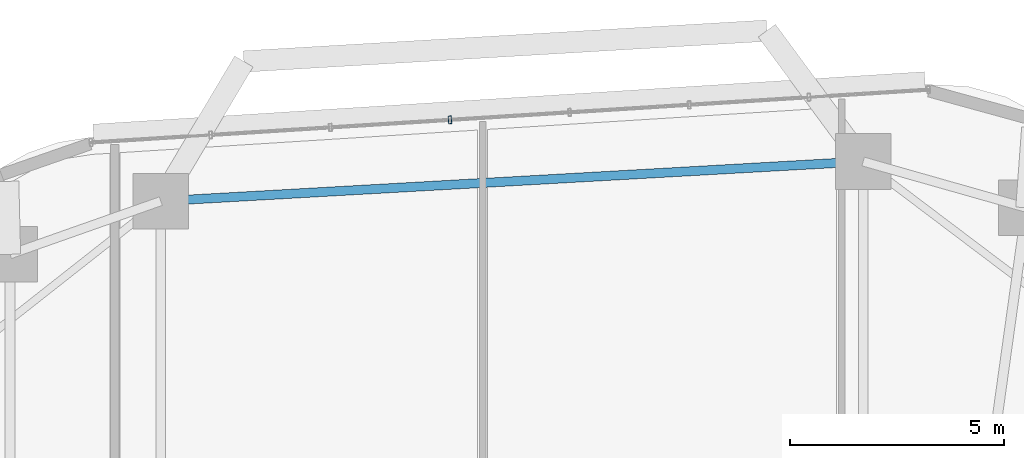
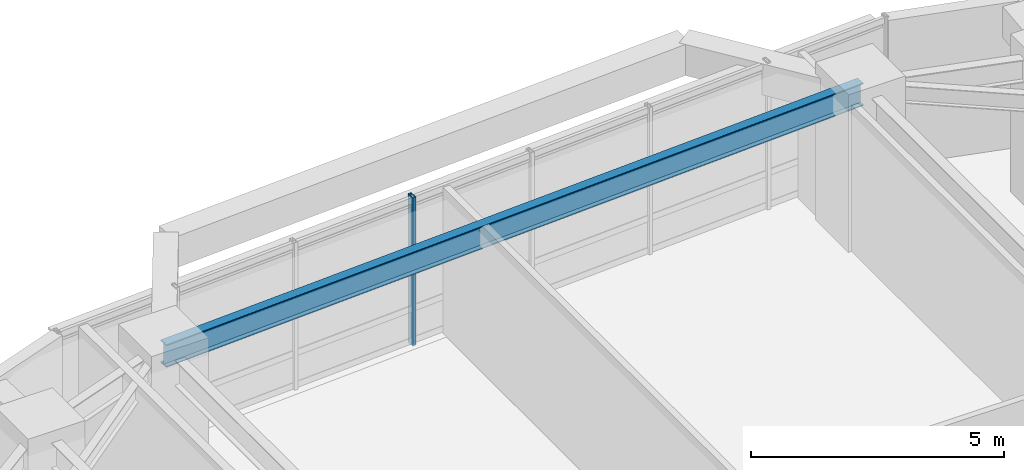
# One storey, part 3 of 14: 1 beam, 1 member, 1 element without a shape of its own.
"""IFC4 building model written with IfcOpenShell, lengths in metres."""

from ifc_helpers import new_model, si_unit, direction, frame, origin, origin_2d, place, context, subcontext, project, spatial, hollow_rectangle, i_section, extrude, material, material_profile, profile_set, type_object, element, aggregate, save


model = new_model("IFC4")

# Units and contexts
model_context = context("Model", 3, precision=1e-05, world=origin(), true_north=direction((0.0, 1.0)))
body_context = subcontext(model_context, "Body", "Model", "MODEL_VIEW")
ifc_project = project(units=[si_unit("LENGTHUNIT", "METRE"), si_unit("AREAUNIT", "SQUARE_METRE"), si_unit("VOLUMEUNIT", "CUBIC_METRE"), si_unit("PLANEANGLEUNIT", "RADIAN"), si_unit("MASSUNIT", "GRAM", prefix="KILO")], contexts=[model_context])

# Site, building, storey
site_placement = place(None, origin())
site = spatial("IfcSite", under=ifc_project, at=site_placement, CompositionType="ELEMENT")
building_placement = place(site_placement, origin())
building = spatial("IfcBuilding", under=site, at=building_placement, Name="Zulverin Broadcast Headquarters", CompositionType="ELEMENT")
storey_placement = place(building_placement, frame((0.0, 0.0, 55.39990234375)))
storey = spatial("IfcBuildingStorey", under=building, at=storey_placement, Name="L13", CompositionType="ELEMENT", Elevation=55.39990234375)

# Beam
ifc_material_1 = material(Name="Structural steel S355JR", Category="steel")
ifc_material_profile_1 = material_profile(ifc_material_1, i_section(OverallWidth=0.2119140625, OverallDepth=0.54443359375, WebThickness=0.0126953125, FlangeThickness=0.021240234375, at=origin_2d()), Name="Structural steel S355JR", Category="steel")
ifc_profile_set_1 = profile_set([ifc_material_profile_1], Name="Structural steel S355JR")
beam_type = type_object("IfcBeamType", Name="BM-UB-533", PredefinedType="SPANDREL", material=ifc_profile_set_1)
beam_placement = place(storey_placement, frame((46.30224609375, 47.4091796875, 3.252685546875), z_axis=(-0.998411812904, -0.056336949274, 0.0), x_axis=(0.056336949274, -0.998411812904, 0.0)))
element("IfcBeam", 1, at=beam_placement, inside=storey, type_object=beam_type, Name="L13 Perimeter Spandrel Beam SP-09", PredefinedType="SPANDREL", context=body_context, shape_type="SweptSolid", body=[
    extrude(i_section(OverallWidth=0.2119140625, OverallDepth=0.54443359375, WebThickness=0.0126953125, FlangeThickness=0.021240234375, at=origin_2d()), origin(), (0.0, 0.0, 1.0), 16.45458984375),
])

# Curtain wall, member
ifc_material_2 = material(Name="Low-zone ribbon unitised curtain wall", Category="aluminium")
curtain_wall_type = type_object("IfcCurtainWallType", Name="CW-TWR-LOW", PredefinedType="USERDEFINED", material=ifc_material_2)
curtain_wall_placement = place(storey_placement, origin())
curtain_wall = element("IfcCurtainWall", 2, at=curtain_wall_placement, inside=storey, type_object=curtain_wall_type, Name="L13 Unitised Curtain Wall CW-L13-E5", ObjectType="UNITISED CURTAIN WALL", PredefinedType="USERDEFINED")
ifc_material_3 = material(Name="Anodized pale-metal aluminium alloy 6063-T6", Category="aluminium")
ifc_material_profile_2 = material_profile(ifc_material_3, hollow_rectangle(XDim=0.074951171875, YDim=0.179931640625, WallThickness=0.0048828125, at=origin_2d()), Name="Anodized pale-metal aluminium alloy 6063-T6", Category="aluminium")
ifc_profile_set_2 = profile_set([ifc_material_profile_2], Name="Anodized pale-metal aluminium alloy 6063-T6")
member_type = type_object("IfcMemberType", Name="CW-MUL-180", PredefinedType="MULLION", material=ifc_profile_set_2)
member_placement = place(storey_placement, frame((36.635986328125, 48.38330078125, -0.02978515625), z_axis=(0.0, 0.0, 1.0), x_axis=(-0.998017621976, -0.062935095345, 0.0)))
member = element("IfcMember", 3, at=member_placement, type_object=member_type, Name="CW-L13-E5 Mullion 04", PredefinedType="MULLION", context=body_context, shape_type="SweptSolid", body=[
    extrude(hollow_rectangle(XDim=0.074951171875, YDim=0.179931640625, WallThickness=0.0048828125, at=origin_2d()), origin(), (0.0, 0.0, 1.0), 3.5849609375),
])
aggregate(curtain_wall, [member])

save(model, "model.ifc")
